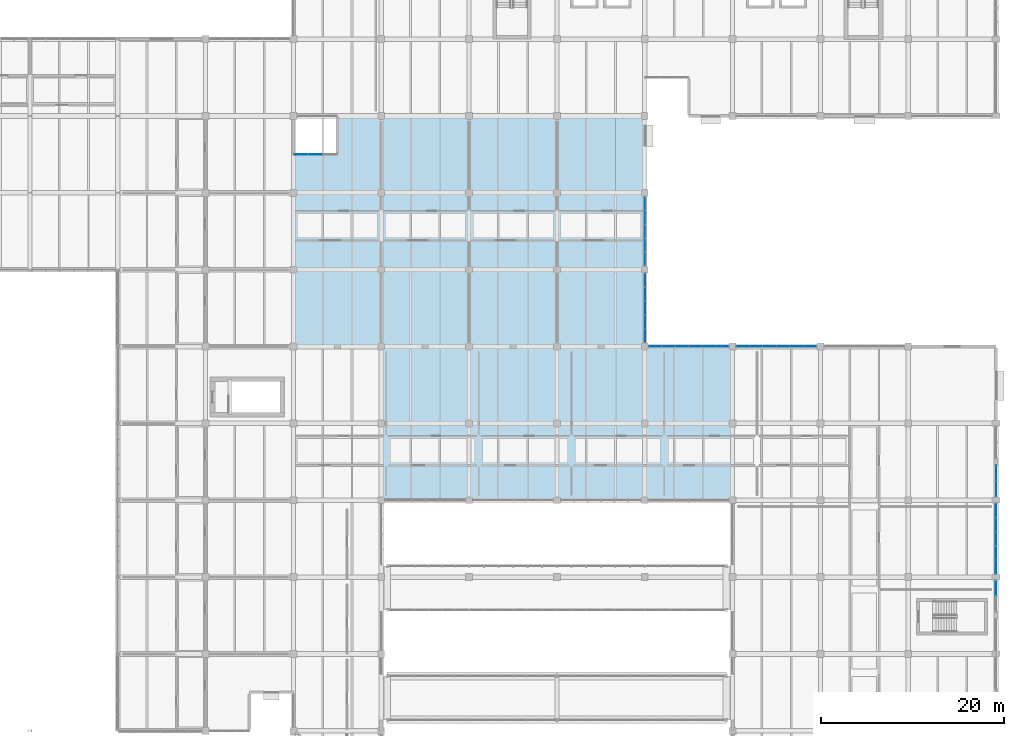
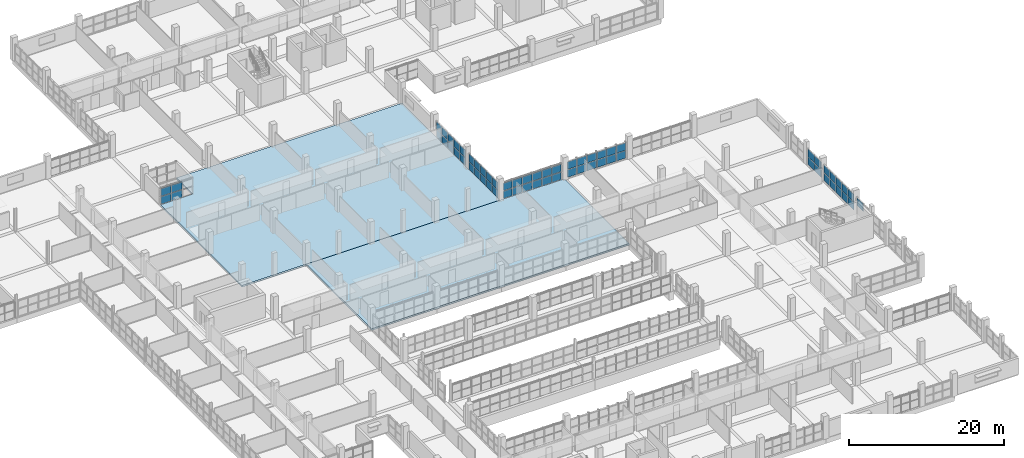
# One storey, part 105 of 147: 63 plates, 2 slabs, 8 elements without a shape of their own.
"""IFC4 building model written with IfcOpenShell, lengths in metres."""

from ifc_helpers import new_model, si_unit, direction, frame, origin, origin_2d, place, context, subcontext, project, spatial, polyline, rectangle, outline, extrude, material, layer, layer_set, type_object, element, aggregate, save


model = new_model("IFC4")

# Units and contexts
model_context = context("Model", 3, precision=1e-05, world=origin(), true_north=direction((0.0, 1.0)))
body_context = subcontext(model_context, "Body", "Model", "MODEL_VIEW")
ifc_project = project(units=[si_unit("LENGTHUNIT", "METRE"), si_unit("AREAUNIT", "SQUARE_METRE"), si_unit("VOLUMEUNIT", "CUBIC_METRE"), si_unit("PLANEANGLEUNIT", "RADIAN"), si_unit("MASSUNIT", "GRAM", prefix="KILO")], contexts=[model_context])

# Site, building, storey
site_placement = place(None, origin())
site = spatial("IfcSite", under=ifc_project, at=site_placement, CompositionType="ELEMENT")
building_placement = place(site_placement, origin())
building = spatial("IfcBuilding", under=site, at=building_placement, Name="Oolite Switchyard Hospital", CompositionType="ELEMENT")
storey_placement = place(building_placement, frame((0.0, 0.0, 9.89990234375)))
storey = spatial("IfcBuildingStorey", under=building, at=storey_placement, Name="L02", CompositionType="ELEMENT", Elevation=9.89990234375)

# Curtain wall, plates
ifc_material_1 = material(Name="Thermally broken aluminum frame with laminated impact glazing", Category="aluminium")
curtain_wall_type_1 = type_object("IfcCurtainWallType", Name="CW-UNIT-84X36", PredefinedType="USERDEFINED", material=ifc_material_1)
curtain_wall_1_placement = place(storey_placement, origin())
curtain_wall_1 = element("IfcCurtainWall", 1, at=curtain_wall_1_placement, inside=storey, type_object=curtain_wall_type_1, Name="L02 Unitised Curtain Wall 306", ObjectType="UNITISED", PredefinedType="USERDEFINED")
ifc_material_2 = material(Name="Insulated fluoropolymer-coated aluminum spandrel panel", Category="aluminium")
ifc_layer_1 = layer(ifc_material_2, 0.054931640625)
ifc_layer_set_1 = layer_set([ifc_layer_1], Name="CW-PNL-SPN55")
plate_type_1 = type_object("IfcPlateType", Name="CW-PNL-SPN55", PredefinedType="CURTAIN_PANEL", material=ifc_layer_set_1)
plate_1_placement = place(storey_placement, frame((172.800048828125, 82.829345703125, 0.06005859375), z_axis=(0.0, 0.0, 1.0), x_axis=(0.0, -1.0, 0.0)))
plate_1 = element("IfcPlate", 2, at=plate_1_placement, type_object=plate_type_1, Name="CW-08 panel 1.1", PredefinedType="CURTAIN_PANEL", context=body_context, shape_type="SweptSolid", body=[
    extrude(rectangle(XDim=1.41162109375, YDim=0.054931640625, at=origin_2d()), origin(), (0.0, 0.0, 1.0), 1.195068359375),
])
plate_2_placement = place(storey_placement, frame((172.800048828125, 82.829345703125, 1.31494140625), z_axis=(0.0, 0.0, 1.0), x_axis=(0.0, -1.0, 0.0)))
plate_2 = element("IfcPlate", 3, at=plate_2_placement, type_object=plate_type_1, Name="CW-08 panel 1.2", PredefinedType="CURTAIN_PANEL", context=body_context, shape_type="SweptSolid", body=[
    extrude(rectangle(XDim=1.41162109375, YDim=0.054931640625, at=origin_2d()), origin(), (0.0, 0.0, 1.0), 1.195068359375),
])
plate_3_placement = place(storey_placement, frame((172.800048828125, 81.323974609375, 0.06005859375), z_axis=(0.0, 0.0, 1.0), x_axis=(0.0, -1.0, 0.0)))
plate_3 = element("IfcPlate", 4, at=plate_3_placement, type_object=plate_type_1, Name="CW-08 panel 2.1", PredefinedType="CURTAIN_PANEL", context=body_context, shape_type="SweptSolid", body=[
    extrude(rectangle(XDim=1.448974609375, YDim=0.054931640625, at=origin_2d()), origin(), (0.0, 0.0, 1.0), 1.195068359375),
])
plate_4_placement = place(storey_placement, frame((172.800048828125, 81.323974609375, 1.31494140625), z_axis=(0.0, 0.0, 1.0), x_axis=(0.0, -1.0, 0.0)))
plate_4 = element("IfcPlate", 5, at=plate_4_placement, type_object=plate_type_1, Name="CW-08 panel 2.2", PredefinedType="CURTAIN_PANEL", context=body_context, shape_type="SweptSolid", body=[
    extrude(rectangle(XDim=1.448974609375, YDim=0.054931640625, at=origin_2d()), origin(), (0.0, 0.0, 1.0), 1.195068359375),
])
plate_5_placement = place(storey_placement, frame((172.800048828125, 79.800048828125, 0.06005859375), z_axis=(0.0, 0.0, 1.0), x_axis=(0.0, -1.0, 0.0)))
plate_5 = element("IfcPlate", 6, at=plate_5_placement, type_object=plate_type_1, Name="CW-08 panel 3.1", PredefinedType="CURTAIN_PANEL", context=body_context, shape_type="SweptSolid", body=[
    extrude(rectangle(XDim=1.448974609375, YDim=0.054931640625, at=origin_2d()), origin(), (0.0, 0.0, 1.0), 1.195068359375),
])
plate_6_placement = place(storey_placement, frame((172.800048828125, 79.800048828125, 1.31494140625), z_axis=(0.0, 0.0, 1.0), x_axis=(0.0, -1.0, 0.0)))
plate_6 = element("IfcPlate", 7, at=plate_6_placement, type_object=plate_type_1, Name="CW-08 panel 3.2", PredefinedType="CURTAIN_PANEL", context=body_context, shape_type="SweptSolid", body=[
    extrude(rectangle(XDim=1.448974609375, YDim=0.054931640625, at=origin_2d()), origin(), (0.0, 0.0, 1.0), 1.195068359375),
])
plate_7_placement = place(storey_placement, frame((172.800048828125, 78.27587890625, 0.06005859375), z_axis=(0.0, 0.0, 1.0), x_axis=(0.0, -1.0, 0.0)))
plate_7 = element("IfcPlate", 8, at=plate_7_placement, type_object=plate_type_1, Name="CW-08 panel 4.1", PredefinedType="CURTAIN_PANEL", context=body_context, shape_type="SweptSolid", body=[
    extrude(rectangle(XDim=1.448974609375, YDim=0.054931640625, at=origin_2d()), origin(), (0.0, 0.0, 1.0), 1.195068359375),
])
plate_8_placement = place(storey_placement, frame((172.800048828125, 78.27587890625, 1.31494140625), z_axis=(0.0, 0.0, 1.0), x_axis=(0.0, -1.0, 0.0)))
plate_8 = element("IfcPlate", 9, at=plate_8_placement, type_object=plate_type_1, Name="CW-08 panel 4.2", PredefinedType="CURTAIN_PANEL", context=body_context, shape_type="SweptSolid", body=[
    extrude(rectangle(XDim=1.448974609375, YDim=0.054931640625, at=origin_2d()), origin(), (0.0, 0.0, 1.0), 1.195068359375),
])
plate_9_placement = place(storey_placement, frame((172.800048828125, 76.770751953125, 0.06005859375), z_axis=(0.0, 0.0, 1.0), x_axis=(0.0, -1.0, 0.0)))
plate_9 = element("IfcPlate", 10, at=plate_9_placement, type_object=plate_type_1, Name="CW-08 panel 5.1", PredefinedType="CURTAIN_PANEL", context=body_context, shape_type="SweptSolid", body=[
    extrude(rectangle(XDim=1.41162109375, YDim=0.054931640625, at=origin_2d()), origin(), (0.0, 0.0, 1.0), 1.195068359375),
])
plate_10_placement = place(storey_placement, frame((172.800048828125, 76.770751953125, 1.31494140625), z_axis=(0.0, 0.0, 1.0), x_axis=(0.0, -1.0, 0.0)))
plate_10 = element("IfcPlate", 11, at=plate_10_placement, type_object=plate_type_1, Name="CW-08 panel 5.2", PredefinedType="CURTAIN_PANEL", context=body_context, shape_type="SweptSolid", body=[
    extrude(rectangle(XDim=1.41162109375, YDim=0.054931640625, at=origin_2d()), origin(), (0.0, 0.0, 1.0), 1.195068359375),
])
aggregate(curtain_wall_1, [plate_1, plate_2, plate_3, plate_4, plate_5, plate_6, plate_7, plate_8, plate_9, plate_10])

curtain_wall_type_2 = type_object("IfcCurtainWallType", Name="CW-UNIT-96X36", PredefinedType="USERDEFINED", material=ifc_material_1)
curtain_wall_2_placement = place(storey_placement, origin())
curtain_wall_2 = element("IfcCurtainWall", 12, at=curtain_wall_2_placement, inside=storey, type_object=curtain_wall_type_2, Name="L02 Unitised Curtain Wall 246", ObjectType="UNITISED", PredefinedType="USERDEFINED")
ifc_material_3 = material(Name="Laminated hurricane-impact insulated glazing unit", Category="glass")
ifc_layer_2 = layer(ifc_material_3, 0.028076171875)
ifc_layer_set_2 = layer_set([ifc_layer_2], Name="CW-PNL-VIS28")
plate_type_2 = type_object("IfcPlateType", Name="CW-PNL-VIS28", PredefinedType="CURTAIN_PANEL", material=ifc_layer_set_2)
plate_11_placement = place(storey_placement, frame((173.94384765625, 75.60009765625, 0.06005859375), z_axis=(0.0, 0.0, 1.0), x_axis=(1.0, 0.0, 0.0)))
plate_11 = element("IfcPlate", 13, at=plate_11_placement, type_object=plate_type_2, Name="CW-03 panel 1.1", PredefinedType="CURTAIN_PANEL", context=body_context, shape_type="SweptSolid", body=[
    extrude(rectangle(XDim=1.357421875, YDim=0.028076171875, at=origin_2d()), origin(), (0.0, 0.0, 1.0), 1.195068359375),
])
plate_12_placement = place(storey_placement, frame((173.94384765625, 75.60009765625, 1.31494140625), z_axis=(0.0, 0.0, 1.0), x_axis=(1.0, 0.0, 0.0)))
plate_12 = element("IfcPlate", 14, at=plate_12_placement, type_object=plate_type_2, Name="CW-03 panel 1.2", PredefinedType="CURTAIN_PANEL", context=body_context, shape_type="SweptSolid", body=[
    extrude(rectangle(XDim=1.357421875, YDim=0.028076171875, at=origin_2d()), origin(), (0.0, 0.0, 1.0), 1.195068359375),
])
plate_13_placement = place(storey_placement, frame((175.39501953125, 75.60009765625, 0.06005859375), z_axis=(0.0, 0.0, 1.0), x_axis=(1.0, 0.0, 0.0)))
plate_13 = element("IfcPlate", 15, at=plate_13_placement, type_object=plate_type_2, Name="CW-03 panel 2.1", PredefinedType="CURTAIN_PANEL", context=body_context, shape_type="SweptSolid", body=[
    extrude(rectangle(XDim=1.39501953125, YDim=0.028076171875, at=origin_2d()), origin(), (0.0, 0.0, 1.0), 1.195068359375),
])
plate_14_placement = place(storey_placement, frame((175.39501953125, 75.60009765625, 1.31494140625), z_axis=(0.0, 0.0, 1.0), x_axis=(1.0, 0.0, 0.0)))
plate_14 = element("IfcPlate", 16, at=plate_14_placement, type_object=plate_type_2, Name="CW-03 panel 2.2", PredefinedType="CURTAIN_PANEL", context=body_context, shape_type="SweptSolid", body=[
    extrude(rectangle(XDim=1.39501953125, YDim=0.028076171875, at=origin_2d()), origin(), (0.0, 0.0, 1.0), 1.195068359375),
])
plate_15_placement = place(storey_placement, frame((176.864990234375, 75.60009765625, 0.06005859375), z_axis=(0.0, 0.0, 1.0), x_axis=(1.0, 0.0, 0.0)))
plate_15 = element("IfcPlate", 17, at=plate_15_placement, type_object=plate_type_2, Name="CW-03 panel 3.1", PredefinedType="CURTAIN_PANEL", context=body_context, shape_type="SweptSolid", body=[
    extrude(rectangle(XDim=1.39501953125, YDim=0.028076171875, at=origin_2d()), origin(), (0.0, 0.0, 1.0), 1.195068359375),
])
plate_16_placement = place(storey_placement, frame((176.864990234375, 75.60009765625, 1.31494140625), z_axis=(0.0, 0.0, 1.0), x_axis=(1.0, 0.0, 0.0)))
plate_16 = element("IfcPlate", 18, at=plate_16_placement, type_object=plate_type_2, Name="CW-03 panel 3.2", PredefinedType="CURTAIN_PANEL", context=body_context, shape_type="SweptSolid", body=[
    extrude(rectangle(XDim=1.39501953125, YDim=0.028076171875, at=origin_2d()), origin(), (0.0, 0.0, 1.0), 1.195068359375),
])
plate_17_placement = place(storey_placement, frame((178.3349609375, 75.60009765625, 0.06005859375), z_axis=(0.0, 0.0, 1.0), x_axis=(1.0, 0.0, 0.0)))
plate_17 = element("IfcPlate", 19, at=plate_17_placement, type_object=plate_type_2, Name="CW-03 panel 4.1", PredefinedType="CURTAIN_PANEL", context=body_context, shape_type="SweptSolid", body=[
    extrude(rectangle(XDim=1.39501953125, YDim=0.028076171875, at=origin_2d()), origin(), (0.0, 0.0, 1.0), 1.195068359375),
])
plate_18_placement = place(storey_placement, frame((178.3349609375, 75.60009765625, 1.31494140625), z_axis=(0.0, 0.0, 1.0), x_axis=(1.0, 0.0, 0.0)))
plate_18 = element("IfcPlate", 20, at=plate_18_placement, type_object=plate_type_2, Name="CW-03 panel 4.2", PredefinedType="CURTAIN_PANEL", context=body_context, shape_type="SweptSolid", body=[
    extrude(rectangle(XDim=1.39501953125, YDim=0.028076171875, at=origin_2d()), origin(), (0.0, 0.0, 1.0), 1.195068359375),
])
plate_19_placement = place(storey_placement, frame((179.804931640625, 75.60009765625, 0.06005859375), z_axis=(0.0, 0.0, 1.0), x_axis=(1.0, 0.0, 0.0)))
plate_19 = element("IfcPlate", 21, at=plate_19_placement, type_object=plate_type_2, Name="CW-03 panel 5.1", PredefinedType="CURTAIN_PANEL", context=body_context, shape_type="SweptSolid", body=[
    extrude(rectangle(XDim=1.39501953125, YDim=0.028076171875, at=origin_2d()), origin(), (0.0, 0.0, 1.0), 1.195068359375),
])
plate_20_placement = place(storey_placement, frame((179.804931640625, 75.60009765625, 1.31494140625), z_axis=(0.0, 0.0, 1.0), x_axis=(1.0, 0.0, 0.0)))
plate_20 = element("IfcPlate", 22, at=plate_20_placement, type_object=plate_type_2, Name="CW-03 panel 5.2", PredefinedType="CURTAIN_PANEL", context=body_context, shape_type="SweptSolid", body=[
    extrude(rectangle(XDim=1.39501953125, YDim=0.028076171875, at=origin_2d()), origin(), (0.0, 0.0, 1.0), 1.195068359375),
])
plate_21_placement = place(storey_placement, frame((181.25634765625, 75.60009765625, 0.06005859375), z_axis=(0.0, 0.0, 1.0), x_axis=(1.0, 0.0, 0.0)))
plate_21 = element("IfcPlate", 23, at=plate_21_placement, type_object=plate_type_2, Name="CW-03 panel 6.1", PredefinedType="CURTAIN_PANEL", context=body_context, shape_type="SweptSolid", body=[
    extrude(rectangle(XDim=1.357421875, YDim=0.028076171875, at=origin_2d()), origin(), (0.0, 0.0, 1.0), 1.195068359375),
])
plate_22_placement = place(storey_placement, frame((181.25634765625, 75.60009765625, 1.31494140625), z_axis=(0.0, 0.0, 1.0), x_axis=(1.0, 0.0, 0.0)))
plate_22 = element("IfcPlate", 24, at=plate_22_placement, type_object=plate_type_2, Name="CW-03 panel 6.2", PredefinedType="CURTAIN_PANEL", context=body_context, shape_type="SweptSolid", body=[
    extrude(rectangle(XDim=1.357421875, YDim=0.028076171875, at=origin_2d()), origin(), (0.0, 0.0, 1.0), 1.195068359375),
])
aggregate(curtain_wall_2, [plate_11, plate_12, plate_13, plate_14, plate_15, plate_16, plate_17, plate_18, plate_19, plate_20, plate_21, plate_22])

curtain_wall_3_placement = place(storey_placement, origin())
curtain_wall_3 = element("IfcCurtainWall", 25, at=curtain_wall_3_placement, inside=storey, type_object=curtain_wall_type_1, Name="L02 Unitised Curtain Wall 316", ObjectType="UNITISED", PredefinedType="USERDEFINED")
plate_23_placement = place(storey_placement, frame((211.199951171875, 61.7587890625, 0.06005859375), z_axis=(0.0, 0.0, 1.0), x_axis=(0.0, -1.0, 0.0)))
plate_23 = element("IfcPlate", 26, at=plate_23_placement, type_object=plate_type_2, Name="CW-08 panel 1.1", PredefinedType="CURTAIN_PANEL", context=body_context, shape_type="SweptSolid", body=[
    extrude(rectangle(XDim=1.6826171875, YDim=0.028076171875, at=origin_2d()), origin(), (0.0, 0.0, 1.0), 1.195068359375),
])
plate_24_placement = place(storey_placement, frame((211.199951171875, 61.7587890625, 1.31494140625), z_axis=(0.0, 0.0, 1.0), x_axis=(0.0, -1.0, 0.0)))
plate_24 = element("IfcPlate", 27, at=plate_24_placement, type_object=plate_type_2, Name="CW-08 panel 1.2", PredefinedType="CURTAIN_PANEL", context=body_context, shape_type="SweptSolid", body=[
    extrude(rectangle(XDim=1.6826171875, YDim=0.028076171875, at=origin_2d()), origin(), (0.0, 0.0, 1.0), 1.195068359375),
])
plate_25_placement = place(storey_placement, frame((211.199951171875, 60.016357421875, 0.06005859375), z_axis=(0.0, 0.0, 1.0), x_axis=(0.0, -1.0, 0.0)))
plate_25 = element("IfcPlate", 28, at=plate_25_placement, type_object=plate_type_2, Name="CW-08 panel 2.1", PredefinedType="CURTAIN_PANEL", context=body_context, shape_type="SweptSolid", body=[
    extrude(rectangle(XDim=1.6826171875, YDim=0.028076171875, at=origin_2d()), origin(), (0.0, 0.0, 1.0), 1.195068359375),
])
plate_26_placement = place(storey_placement, frame((211.199951171875, 60.016357421875, 1.31494140625), z_axis=(0.0, 0.0, 1.0), x_axis=(0.0, -1.0, 0.0)))
plate_26 = element("IfcPlate", 29, at=plate_26_placement, type_object=plate_type_2, Name="CW-08 panel 2.2", PredefinedType="CURTAIN_PANEL", context=body_context, shape_type="SweptSolid", body=[
    extrude(rectangle(XDim=1.6826171875, YDim=0.028076171875, at=origin_2d()), origin(), (0.0, 0.0, 1.0), 1.195068359375),
])
aggregate(curtain_wall_3, [plate_23, plate_24, plate_25, plate_26])

curtain_wall_4_placement = place(storey_placement, origin())
curtain_wall_4 = element("IfcCurtainWall", 30, at=curtain_wall_4_placement, inside=storey, type_object=curtain_wall_type_1, Name="L02 Unitised Curtain Wall 258", ObjectType="UNITISED", PredefinedType="USERDEFINED")
ifc_layer_3 = layer(ifc_material_3, 0.031982421875)
ifc_layer_set_3 = layer_set([ifc_layer_3], Name="CW-PNL-VIS32")
plate_type_3 = type_object("IfcPlateType", Name="CW-PNL-VIS32", PredefinedType="CURTAIN_PANEL", material=ifc_layer_set_3)
plate_27_placement = place(storey_placement, frame((135.21875, 96.60009765625, 0.06005859375), z_axis=(0.0, 0.0, 1.0), x_axis=(1.0, 0.0, 0.0)))
plate_27 = element("IfcPlate", 31, at=plate_27_placement, type_object=plate_type_3, Name="CW-08 panel 1.1", PredefinedType="CURTAIN_PANEL", context=body_context, shape_type="SweptSolid", body=[
    extrude(rectangle(XDim=1.487548828125, YDim=0.031982421875, at=origin_2d()), origin(), (0.0, 0.0, 1.0), 1.195068359375),
])
plate_28_placement = place(storey_placement, frame((135.21875, 96.60009765625, 1.31494140625), z_axis=(0.0, 0.0, 1.0), x_axis=(1.0, 0.0, 0.0)))
plate_28 = element("IfcPlate", 32, at=plate_28_placement, type_object=plate_type_3, Name="CW-08 panel 1.2", PredefinedType="CURTAIN_PANEL", context=body_context, shape_type="SweptSolid", body=[
    extrude(rectangle(XDim=1.487548828125, YDim=0.031982421875, at=origin_2d()), origin(), (0.0, 0.0, 1.0), 1.195068359375),
])
plate_29_placement = place(storey_placement, frame((136.800048828125, 96.60009765625, 0.06005859375), z_axis=(0.0, 0.0, 1.0), x_axis=(1.0, 0.0, 0.0)))
plate_29 = element("IfcPlate", 33, at=plate_29_placement, type_object=plate_type_3, Name="CW-08 panel 2.1", PredefinedType="CURTAIN_PANEL", context=body_context, shape_type="SweptSolid", body=[
    extrude(rectangle(XDim=1.52490234375, YDim=0.031982421875, at=origin_2d()), origin(), (0.0, 0.0, 1.0), 1.195068359375),
])
plate_30_placement = place(storey_placement, frame((136.800048828125, 96.60009765625, 1.31494140625), z_axis=(0.0, 0.0, 1.0), x_axis=(1.0, 0.0, 0.0)))
plate_30 = element("IfcPlate", 34, at=plate_30_placement, type_object=plate_type_3, Name="CW-08 panel 2.2", PredefinedType="CURTAIN_PANEL", context=body_context, shape_type="SweptSolid", body=[
    extrude(rectangle(XDim=1.52490234375, YDim=0.031982421875, at=origin_2d()), origin(), (0.0, 0.0, 1.0), 1.195068359375),
])
aggregate(curtain_wall_4, [plate_27, plate_28, plate_29, plate_30])

curtain_wall_5_placement = place(storey_placement, origin())
curtain_wall_5 = element("IfcCurtainWall", 35, at=curtain_wall_5_placement, inside=storey, type_object=curtain_wall_type_1, Name="L02 Unitised Curtain Wall 317", ObjectType="UNITISED", PredefinedType="USERDEFINED")
plate_31_placement = place(storey_placement, frame((211.199951171875, 57.6904296875, 0.0751953125), z_axis=(0.0, 0.0, 1.0), x_axis=(0.0, -1.0, 0.0)))
plate_31 = element("IfcPlate", 36, at=plate_31_placement, type_object=plate_type_3, Name="CW-08 panel 1.1", PredefinedType="CURTAIN_PANEL", context=body_context, shape_type="SweptSolid", body=[
    extrude(rectangle(XDim=1.448974609375, YDim=0.031982421875, at=origin_2d()), origin(), (0.0, 0.0, 1.0), 1.172607421875),
])
plate_32_placement = place(storey_placement, frame((211.199951171875, 57.6904296875, 1.32275390625), z_axis=(0.0, 0.0, 1.0), x_axis=(0.0, -1.0, 0.0)))
plate_32 = element("IfcPlate", 37, at=plate_32_placement, type_object=plate_type_3, Name="CW-08 panel 1.2", PredefinedType="CURTAIN_PANEL", context=body_context, shape_type="SweptSolid", body=[
    extrude(rectangle(XDim=1.448974609375, YDim=0.031982421875, at=origin_2d()), origin(), (0.0, 0.0, 1.0), 1.172607421875),
])
plate_33_placement = place(storey_placement, frame((211.199951171875, 56.154052734375, 0.0751953125), z_axis=(0.0, 0.0, 1.0), x_axis=(0.0, -1.0, 0.0)))
plate_33 = element("IfcPlate", 38, at=plate_33_placement, type_object=plate_type_3, Name="CW-08 panel 2.1", PredefinedType="CURTAIN_PANEL", context=body_context, shape_type="SweptSolid", body=[
    extrude(rectangle(XDim=1.48388671875, YDim=0.031982421875, at=origin_2d()), origin(), (0.0, 0.0, 1.0), 1.172607421875),
])
plate_34_placement = place(storey_placement, frame((211.199951171875, 56.154052734375, 1.32275390625), z_axis=(0.0, 0.0, 1.0), x_axis=(0.0, -1.0, 0.0)))
plate_34 = element("IfcPlate", 39, at=plate_34_placement, type_object=plate_type_3, Name="CW-08 panel 2.2", PredefinedType="CURTAIN_PANEL", context=body_context, shape_type="SweptSolid", body=[
    extrude(rectangle(XDim=1.48388671875, YDim=0.031982421875, at=origin_2d()), origin(), (0.0, 0.0, 1.0), 1.172607421875),
])
plate_35_placement = place(storey_placement, frame((211.199951171875, 54.60009765625, 0.0751953125), z_axis=(0.0, 0.0, 1.0), x_axis=(0.0, -1.0, 0.0)))
plate_35 = element("IfcPlate", 40, at=plate_35_placement, type_object=plate_type_3, Name="CW-08 panel 3.1", PredefinedType="CURTAIN_PANEL", context=body_context, shape_type="SweptSolid", body=[
    extrude(rectangle(XDim=1.48388671875, YDim=0.031982421875, at=origin_2d()), origin(), (0.0, 0.0, 1.0), 1.172607421875),
])
plate_36_placement = place(storey_placement, frame((211.199951171875, 54.60009765625, 1.32275390625), z_axis=(0.0, 0.0, 1.0), x_axis=(0.0, -1.0, 0.0)))
plate_36 = element("IfcPlate", 41, at=plate_36_placement, type_object=plate_type_3, Name="CW-08 panel 3.2", PredefinedType="CURTAIN_PANEL", context=body_context, shape_type="SweptSolid", body=[
    extrude(rectangle(XDim=1.48388671875, YDim=0.031982421875, at=origin_2d()), origin(), (0.0, 0.0, 1.0), 1.172607421875),
])
plate_37_placement = place(storey_placement, frame((211.199951171875, 53.0458984375, 0.0751953125), z_axis=(0.0, 0.0, 1.0), x_axis=(0.0, -1.0, 0.0)))
plate_37 = element("IfcPlate", 42, at=plate_37_placement, type_object=plate_type_3, Name="CW-08 panel 4.1", PredefinedType="CURTAIN_PANEL", context=body_context, shape_type="SweptSolid", body=[
    extrude(rectangle(XDim=1.48388671875, YDim=0.031982421875, at=origin_2d()), origin(), (0.0, 0.0, 1.0), 1.172607421875),
])
plate_38_placement = place(storey_placement, frame((211.199951171875, 53.0458984375, 1.32275390625), z_axis=(0.0, 0.0, 1.0), x_axis=(0.0, -1.0, 0.0)))
plate_38 = element("IfcPlate", 43, at=plate_38_placement, type_object=plate_type_3, Name="CW-08 panel 4.2", PredefinedType="CURTAIN_PANEL", context=body_context, shape_type="SweptSolid", body=[
    extrude(rectangle(XDim=1.48388671875, YDim=0.031982421875, at=origin_2d()), origin(), (0.0, 0.0, 1.0), 1.172607421875),
])
plate_39_placement = place(storey_placement, frame((211.199951171875, 51.509521484375, 0.0751953125), z_axis=(0.0, 0.0, 1.0), x_axis=(0.0, -1.0, 0.0)))
plate_39 = element("IfcPlate", 44, at=plate_39_placement, type_object=plate_type_3, Name="CW-08 panel 5.1", PredefinedType="CURTAIN_PANEL", context=body_context, shape_type="SweptSolid", body=[
    extrude(rectangle(XDim=1.448974609375, YDim=0.031982421875, at=origin_2d()), origin(), (0.0, 0.0, 1.0), 1.172607421875),
])
plate_40_placement = place(storey_placement, frame((211.199951171875, 51.509521484375, 1.32275390625), z_axis=(0.0, 0.0, 1.0), x_axis=(0.0, -1.0, 0.0)))
plate_40 = element("IfcPlate", 45, at=plate_40_placement, type_object=plate_type_3, Name="CW-08 panel 5.2", PredefinedType="CURTAIN_PANEL", context=body_context, shape_type="SweptSolid", body=[
    extrude(rectangle(XDim=1.448974609375, YDim=0.031982421875, at=origin_2d()), origin(), (0.0, 0.0, 1.0), 1.172607421875),
])
aggregate(curtain_wall_5, [plate_31, plate_32, plate_33, plate_34, plate_35, plate_36, plate_37, plate_38, plate_39, plate_40])

curtain_wall_6_placement = place(storey_placement, origin())
curtain_wall_6 = element("IfcCurtainWall", 46, at=curtain_wall_6_placement, inside=storey, type_object=curtain_wall_type_2, Name="L02 Unitised Curtain Wall 247", ObjectType="UNITISED", PredefinedType="USERDEFINED")
ifc_layer_4 = layer(ifc_material_3, 0.035888671875)
ifc_layer_set_4 = layer_set([ifc_layer_4], Name="CW-PNL-VIS36")
plate_type_4 = type_object("IfcPlateType", Name="CW-PNL-VIS36", PredefinedType="CURTAIN_PANEL", material=ifc_layer_set_4)
plate_41_placement = place(storey_placement, frame((183.5400390625, 75.60009765625, 0.0751953125), z_axis=(0.0, 0.0, 1.0), x_axis=(1.0, 0.0, 0.0)))
plate_41 = element("IfcPlate", 47, at=plate_41_placement, type_object=plate_type_4, Name="CW-03 panel 1.1", PredefinedType="CURTAIN_PANEL", context=body_context, shape_type="SweptSolid", body=[
    extrude(rectangle(XDim=1.3798828125, YDim=0.035888671875, at=origin_2d()), origin(), (0.0, 0.0, 1.0), 1.172607421875),
])
plate_42_placement = place(storey_placement, frame((183.5400390625, 75.60009765625, 1.32275390625), z_axis=(0.0, 0.0, 1.0), x_axis=(1.0, 0.0, 0.0)))
plate_42 = element("IfcPlate", 48, at=plate_42_placement, type_object=plate_type_4, Name="CW-03 panel 1.2", PredefinedType="CURTAIN_PANEL", context=body_context, shape_type="SweptSolid", body=[
    extrude(rectangle(XDim=1.3798828125, YDim=0.035888671875, at=origin_2d()), origin(), (0.0, 0.0, 1.0), 1.172607421875),
])
plate_43_placement = place(storey_placement, frame((184.9951171875, 75.60009765625, 0.0751953125), z_axis=(0.0, 0.0, 1.0), x_axis=(1.0, 0.0, 0.0)))
plate_43 = element("IfcPlate", 49, at=plate_43_placement, type_object=plate_type_4, Name="CW-03 panel 2.1", PredefinedType="CURTAIN_PANEL", context=body_context, shape_type="SweptSolid", body=[
    extrude(rectangle(XDim=1.409912109375, YDim=0.035888671875, at=origin_2d()), origin(), (0.0, 0.0, 1.0), 1.172607421875),
])
plate_44_placement = place(storey_placement, frame((184.9951171875, 75.60009765625, 1.32275390625), z_axis=(0.0, 0.0, 1.0), x_axis=(1.0, 0.0, 0.0)))
plate_44 = element("IfcPlate", 50, at=plate_44_placement, type_object=plate_type_4, Name="CW-03 panel 2.2", PredefinedType="CURTAIN_PANEL", context=body_context, shape_type="SweptSolid", body=[
    extrude(rectangle(XDim=1.409912109375, YDim=0.035888671875, at=origin_2d()), origin(), (0.0, 0.0, 1.0), 1.172607421875),
])
plate_45_placement = place(storey_placement, frame((186.465087890625, 75.60009765625, 0.0751953125), z_axis=(0.0, 0.0, 1.0), x_axis=(1.0, 0.0, 0.0)))
plate_45 = element("IfcPlate", 51, at=plate_45_placement, type_object=plate_type_4, Name="CW-03 panel 3.1", PredefinedType="CURTAIN_PANEL", context=body_context, shape_type="SweptSolid", body=[
    extrude(rectangle(XDim=1.409912109375, YDim=0.035888671875, at=origin_2d()), origin(), (0.0, 0.0, 1.0), 1.172607421875),
])
plate_46_placement = place(storey_placement, frame((186.465087890625, 75.60009765625, 1.32275390625), z_axis=(0.0, 0.0, 1.0), x_axis=(1.0, 0.0, 0.0)))
plate_46 = element("IfcPlate", 52, at=plate_46_placement, type_object=plate_type_4, Name="CW-03 panel 3.2", PredefinedType="CURTAIN_PANEL", context=body_context, shape_type="SweptSolid", body=[
    extrude(rectangle(XDim=1.409912109375, YDim=0.035888671875, at=origin_2d()), origin(), (0.0, 0.0, 1.0), 1.172607421875),
])
plate_47_placement = place(storey_placement, frame((187.93505859375, 75.60009765625, 0.0751953125), z_axis=(0.0, 0.0, 1.0), x_axis=(1.0, 0.0, 0.0)))
plate_47 = element("IfcPlate", 53, at=plate_47_placement, type_object=plate_type_4, Name="CW-03 panel 4.1", PredefinedType="CURTAIN_PANEL", context=body_context, shape_type="SweptSolid", body=[
    extrude(rectangle(XDim=1.409912109375, YDim=0.035888671875, at=origin_2d()), origin(), (0.0, 0.0, 1.0), 1.172607421875),
])
plate_48_placement = place(storey_placement, frame((187.93505859375, 75.60009765625, 1.32275390625), z_axis=(0.0, 0.0, 1.0), x_axis=(1.0, 0.0, 0.0)))
plate_48 = element("IfcPlate", 54, at=plate_48_placement, type_object=plate_type_4, Name="CW-03 panel 4.2", PredefinedType="CURTAIN_PANEL", context=body_context, shape_type="SweptSolid", body=[
    extrude(rectangle(XDim=1.409912109375, YDim=0.035888671875, at=origin_2d()), origin(), (0.0, 0.0, 1.0), 1.172607421875),
])
plate_49_placement = place(storey_placement, frame((189.405029296875, 75.60009765625, 0.0751953125), z_axis=(0.0, 0.0, 1.0), x_axis=(1.0, 0.0, 0.0)))
plate_49 = element("IfcPlate", 55, at=plate_49_placement, type_object=plate_type_4, Name="CW-03 panel 5.1", PredefinedType="CURTAIN_PANEL", context=body_context, shape_type="SweptSolid", body=[
    extrude(rectangle(XDim=1.409912109375, YDim=0.035888671875, at=origin_2d()), origin(), (0.0, 0.0, 1.0), 1.172607421875),
])
plate_50_placement = place(storey_placement, frame((189.405029296875, 75.60009765625, 1.32275390625), z_axis=(0.0, 0.0, 1.0), x_axis=(1.0, 0.0, 0.0)))
plate_50 = element("IfcPlate", 56, at=plate_50_placement, type_object=plate_type_4, Name="CW-03 panel 5.2", PredefinedType="CURTAIN_PANEL", context=body_context, shape_type="SweptSolid", body=[
    extrude(rectangle(XDim=1.409912109375, YDim=0.035888671875, at=origin_2d()), origin(), (0.0, 0.0, 1.0), 1.172607421875),
])
plate_51_placement = place(storey_placement, frame((190.860107421875, 75.60009765625, 0.0751953125), z_axis=(0.0, 0.0, 1.0), x_axis=(1.0, 0.0, 0.0)))
plate_51 = element("IfcPlate", 57, at=plate_51_placement, type_object=plate_type_4, Name="CW-03 panel 6.1", PredefinedType="CURTAIN_PANEL", context=body_context, shape_type="SweptSolid", body=[
    extrude(rectangle(XDim=1.3798828125, YDim=0.035888671875, at=origin_2d()), origin(), (0.0, 0.0, 1.0), 1.172607421875),
])
plate_52_placement = place(storey_placement, frame((190.860107421875, 75.60009765625, 1.32275390625), z_axis=(0.0, 0.0, 1.0), x_axis=(1.0, 0.0, 0.0)))
plate_52 = element("IfcPlate", 58, at=plate_52_placement, type_object=plate_type_4, Name="CW-03 panel 6.2", PredefinedType="CURTAIN_PANEL", context=body_context, shape_type="SweptSolid", body=[
    extrude(rectangle(XDim=1.3798828125, YDim=0.035888671875, at=origin_2d()), origin(), (0.0, 0.0, 1.0), 1.172607421875),
])
aggregate(curtain_wall_6, [plate_41, plate_42, plate_43, plate_44, plate_45, plate_46, plate_47, plate_48, plate_49, plate_50, plate_51, plate_52])

# Curtain wall, plate
curtain_wall_7_placement = place(storey_placement, origin())
curtain_wall_7 = element("IfcCurtainWall", 59, at=curtain_wall_7_placement, inside=storey, type_object=curtain_wall_type_1, Name="L02 Unitised Curtain Wall 318", ObjectType="UNITISED", PredefinedType="USERDEFINED")
plate_53_placement = place(storey_placement, frame((211.199951171875, 49.179931640625, 1.31494140625), z_axis=(0.0, 0.0, 1.0), x_axis=(0.0, -1.0, 0.0)))
plate_53 = element("IfcPlate", 60, at=plate_53_placement, type_object=plate_type_4, Name="CW-08 panel 1.2", PredefinedType="CURTAIN_PANEL", context=body_context, shape_type="SweptSolid", body=[
    extrude(rectangle(XDim=1.659912109375, YDim=0.035888671875, at=origin_2d()), origin(), (0.0, 0.0, 1.0), 1.195068359375),
])
aggregate(curtain_wall_7, [plate_53])

# Curtain wall, plates
curtain_wall_8_placement = place(storey_placement, origin())
curtain_wall_8 = element("IfcCurtainWall", 61, at=curtain_wall_8_placement, inside=storey, type_object=curtain_wall_type_1, Name="L02 Unitised Curtain Wall 305", ObjectType="UNITISED", PredefinedType="USERDEFINED")
ifc_layer_5 = layer(ifc_material_3, 0.0419921875)
ifc_layer_set_5 = layer_set([ifc_layer_5], Name="CW-PNL-VIS42")
plate_type_5 = type_object("IfcPlateType", Name="CW-PNL-VIS42", PredefinedType="CURTAIN_PANEL", material=ifc_layer_set_5)
plate_54_placement = place(storey_placement, frame((172.800048828125, 91.23046875, 0.0751953125), z_axis=(0.0, 0.0, 1.0), x_axis=(0.0, -1.0, 0.0)))
plate_54 = element("IfcPlate", 62, at=plate_54_placement, type_object=plate_type_5, Name="CW-08 panel 1.1", PredefinedType="CURTAIN_PANEL", context=body_context, shape_type="SweptSolid", body=[
    extrude(rectangle(XDim=1.4189453125, YDim=0.0419921875, at=origin_2d()), origin(), (0.0, 0.0, 1.0), 1.172607421875),
])
plate_55_placement = place(storey_placement, frame((172.800048828125, 91.23046875, 1.32275390625), z_axis=(0.0, 0.0, 1.0), x_axis=(0.0, -1.0, 0.0)))
plate_55 = element("IfcPlate", 63, at=plate_55_placement, type_object=plate_type_5, Name="CW-08 panel 1.2", PredefinedType="CURTAIN_PANEL", context=body_context, shape_type="SweptSolid", body=[
    extrude(rectangle(XDim=1.4189453125, YDim=0.0419921875, at=origin_2d()), origin(), (0.0, 0.0, 1.0), 1.172607421875),
])
plate_56_placement = place(storey_placement, frame((172.800048828125, 89.72412109375, 0.0751953125), z_axis=(0.0, 0.0, 1.0), x_axis=(0.0, -1.0, 0.0)))
plate_56 = element("IfcPlate", 64, at=plate_56_placement, type_object=plate_type_5, Name="CW-08 panel 2.1", PredefinedType="CURTAIN_PANEL", context=body_context, shape_type="SweptSolid", body=[
    extrude(rectangle(XDim=1.4541015625, YDim=0.0419921875, at=origin_2d()), origin(), (0.0, 0.0, 1.0), 1.172607421875),
])
plate_57_placement = place(storey_placement, frame((172.800048828125, 89.72412109375, 1.32275390625), z_axis=(0.0, 0.0, 1.0), x_axis=(0.0, -1.0, 0.0)))
plate_57 = element("IfcPlate", 65, at=plate_57_placement, type_object=plate_type_5, Name="CW-08 panel 2.2", PredefinedType="CURTAIN_PANEL", context=body_context, shape_type="SweptSolid", body=[
    extrude(rectangle(XDim=1.4541015625, YDim=0.0419921875, at=origin_2d()), origin(), (0.0, 0.0, 1.0), 1.172607421875),
])
plate_58_placement = place(storey_placement, frame((172.800048828125, 88.199951171875, 0.0751953125), z_axis=(0.0, 0.0, 1.0), x_axis=(0.0, -1.0, 0.0)))
plate_58 = element("IfcPlate", 66, at=plate_58_placement, type_object=plate_type_5, Name="CW-08 panel 3.1", PredefinedType="CURTAIN_PANEL", context=body_context, shape_type="SweptSolid", body=[
    extrude(rectangle(XDim=1.4541015625, YDim=0.0419921875, at=origin_2d()), origin(), (0.0, 0.0, 1.0), 1.172607421875),
])
plate_59_placement = place(storey_placement, frame((172.800048828125, 88.199951171875, 1.32275390625), z_axis=(0.0, 0.0, 1.0), x_axis=(0.0, -1.0, 0.0)))
plate_59 = element("IfcPlate", 67, at=plate_59_placement, type_object=plate_type_5, Name="CW-08 panel 3.2", PredefinedType="CURTAIN_PANEL", context=body_context, shape_type="SweptSolid", body=[
    extrude(rectangle(XDim=1.4541015625, YDim=0.0419921875, at=origin_2d()), origin(), (0.0, 0.0, 1.0), 1.172607421875),
])
plate_60_placement = place(storey_placement, frame((172.800048828125, 86.676025390625, 0.0751953125), z_axis=(0.0, 0.0, 1.0), x_axis=(0.0, -1.0, 0.0)))
plate_60 = element("IfcPlate", 68, at=plate_60_placement, type_object=plate_type_5, Name="CW-08 panel 4.1", PredefinedType="CURTAIN_PANEL", context=body_context, shape_type="SweptSolid", body=[
    extrude(rectangle(XDim=1.4541015625, YDim=0.0419921875, at=origin_2d()), origin(), (0.0, 0.0, 1.0), 1.172607421875),
])
plate_61_placement = place(storey_placement, frame((172.800048828125, 86.676025390625, 1.32275390625), z_axis=(0.0, 0.0, 1.0), x_axis=(0.0, -1.0, 0.0)))
plate_61 = element("IfcPlate", 69, at=plate_61_placement, type_object=plate_type_5, Name="CW-08 panel 4.2", PredefinedType="CURTAIN_PANEL", context=body_context, shape_type="SweptSolid", body=[
    extrude(rectangle(XDim=1.4541015625, YDim=0.0419921875, at=origin_2d()), origin(), (0.0, 0.0, 1.0), 1.172607421875),
])
plate_62_placement = place(storey_placement, frame((172.800048828125, 85.16943359375, 0.0751953125), z_axis=(0.0, 0.0, 1.0), x_axis=(0.0, -1.0, 0.0)))
plate_62 = element("IfcPlate", 70, at=plate_62_placement, type_object=plate_type_5, Name="CW-08 panel 5.1", PredefinedType="CURTAIN_PANEL", context=body_context, shape_type="SweptSolid", body=[
    extrude(rectangle(XDim=1.4189453125, YDim=0.0419921875, at=origin_2d()), origin(), (0.0, 0.0, 1.0), 1.172607421875),
])
plate_63_placement = place(storey_placement, frame((172.800048828125, 85.16943359375, 1.32275390625), z_axis=(0.0, 0.0, 1.0), x_axis=(0.0, -1.0, 0.0)))
plate_63 = element("IfcPlate", 71, at=plate_63_placement, type_object=plate_type_5, Name="CW-08 panel 5.2", PredefinedType="CURTAIN_PANEL", context=body_context, shape_type="SweptSolid", body=[
    extrude(rectangle(XDim=1.4189453125, YDim=0.0419921875, at=origin_2d()), origin(), (0.0, 0.0, 1.0), 1.172607421875),
])
aggregate(curtain_wall_8, [plate_54, plate_55, plate_56, plate_57, plate_58, plate_59, plate_60, plate_61, plate_62, plate_63])

# Slabs
ifc_material_4 = material(Name="Concrete C40/50", Category="concrete")
ifc_layer_6 = layer(ifc_material_4, 0.260009765625)
ifc_layer_set_6 = layer_set([ifc_layer_6], Name="SLB-INT-260")
slab_type = type_object("IfcSlabType", Name="SLB-INT-260", PredefinedType="FLOOR", material=ifc_layer_set_6)
slab_1_placement = place(storey_placement, frame((0.0, 0.0, -0.260009765625)))
element("IfcSlab", 72, at=slab_1_placement, inside=storey, type_object=slab_type, Name="L02 V6 Slab V6N", PredefinedType="FLOOR", context=body_context, shape_type="SweptSolid", body=[
    extrude(outline(polyline([(144.0, 58.800048828125), (182.39990234375, 58.800048828125), (182.39990234375, 75.60009765625), (144.0, 75.60009765625), (144.0, 58.800048828125)])), origin(), (0.0, 0.0, 1.0), 0.260009765625),
])
slab_2_placement = place(storey_placement, frame((0.0, 0.0, -0.260009765625)))
element("IfcSlab", 73, at=slab_2_placement, inside=storey, type_object=slab_type, Name="L02 V5E Slab V5EL", PredefinedType="FLOOR", context=body_context, shape_type="SweptSolid", body=[
    extrude(outline(polyline([(134.39990234375, 75.60009765625), (172.800048828125, 75.60009765625), (172.800048828125, 100.800048828125), (139.199951171875, 100.800048828125), (139.199951171875, 96.60009765625), (134.39990234375, 96.60009765625), (134.39990234375, 75.60009765625)])), origin(), (0.0, 0.0, 1.0), 0.260009765625),
])

save(model, "model.ifc")
